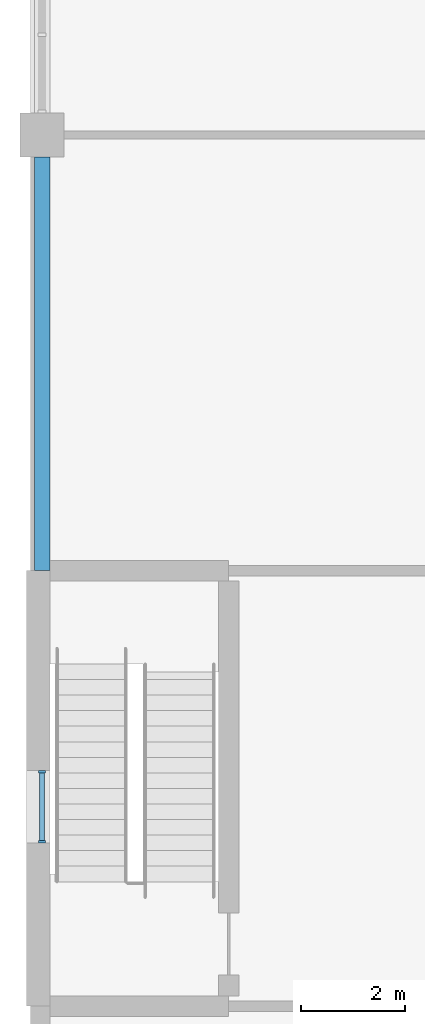
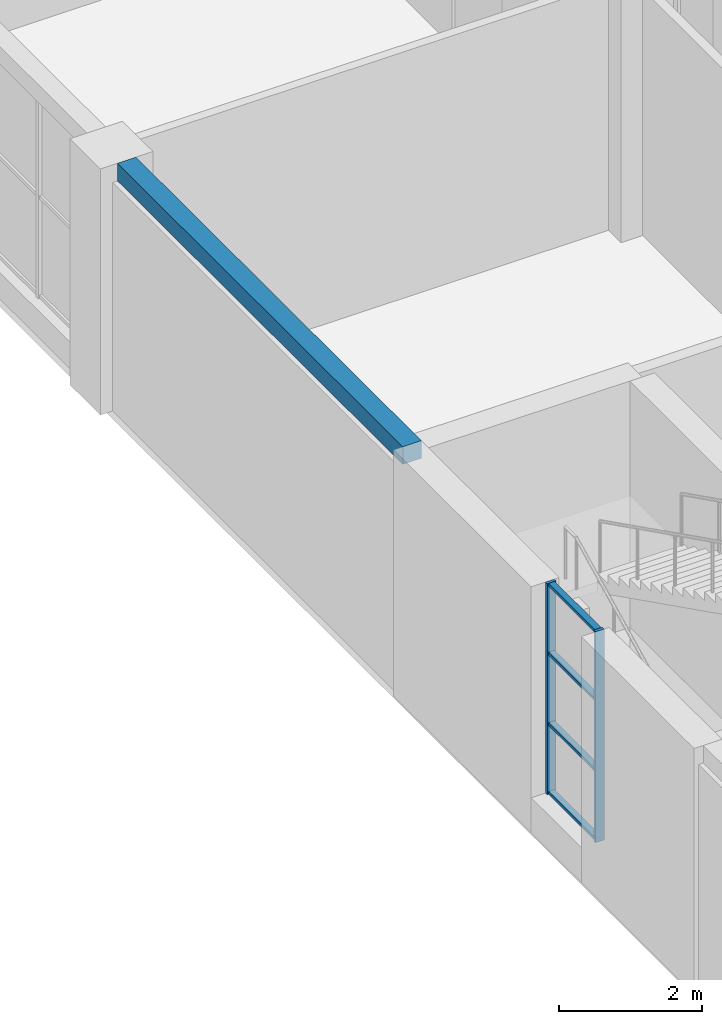
# One storey, part 2 of 66: 6 members, 1 beam, 1 element without a shape of its own.
"""IFC4 building model written with IfcOpenShell, lengths in metres."""

from ifc_helpers import new_model, si_unit, direction, frame, origin, origin_2d, place, context, subcontext, project, spatial, rectangle, extrude, material, material_profile, profile_set, type_object, element, aggregate, save


model = new_model("IFC4")

# Units and contexts
model_context = context("Model", 3, precision=1e-05, world=origin(), true_north=direction((0.0, 1.0)))
body_context = subcontext(model_context, "Body", "Model", "MODEL_VIEW")
ifc_project = project(units=[si_unit("LENGTHUNIT", "METRE"), si_unit("AREAUNIT", "SQUARE_METRE"), si_unit("VOLUMEUNIT", "CUBIC_METRE"), si_unit("PLANEANGLEUNIT", "RADIAN"), si_unit("MASSUNIT", "GRAM", prefix="KILO")], contexts=[model_context])

# Site, building, storey
site_placement = place(None, origin())
site = spatial("IfcSite", under=ifc_project, at=site_placement, CompositionType="ELEMENT")
building_placement = place(site_placement, origin())
building = spatial("IfcBuilding", under=site, at=building_placement, Name="Yavir Park General Hospital", CompositionType="ELEMENT")
storey_placement = place(building_placement, frame((0.0, 0.0, 8.39990234375)))
storey = spatial("IfcBuildingStorey", under=building, at=storey_placement, Name="L02", CompositionType="ELEMENT", Elevation=8.39990234375)

# Beam
ifc_material_1 = material(Name="Concrete C35/45", Category="concrete")
ifc_material_profile_1 = material_profile(ifc_material_1, rectangle(XDim=0.300048828125, YDim=0.300048828125, at=origin_2d()), Name="RC300x300")
ifc_profile_set_1 = profile_set([ifc_material_profile_1], Name="Concrete C35/45")
beam_type = type_object("IfcBeamType", Name="RC BEAM 300x300 edge beam", PredefinedType="BEAM", material=ifc_profile_set_1)
beam_placement = place(storey_placement, frame((0.0, 25.199951171875, 4.050048828125), z_axis=(0.0, 1.0, 0.0), x_axis=(-1.0, 0.0, 0.0)))
element("IfcBeam", 1, at=beam_placement, inside=storey, type_object=beam_type, Name="B:EDGE:L02:035", PredefinedType="BEAM", context=body_context, shape_type="SweptSolid", body=[
    extrude(rectangle(XDim=0.300048828125, YDim=0.300048828125, at=origin_2d()), origin(), (0.0, 0.0, 1.0), 7.97509765625),
])

# Curtain wall, members
ifc_material_2 = material(Name="Aluminium curtain wall frame with insulated glazing", Category="aluminium")
curtain_wall_type = type_object("IfcCurtainWallType", Name="Stair light slot, podium, 3600 high, 1400 module", PredefinedType="NOTDEFINED", material=ifc_material_2)
curtain_wall_placement = place(storey_placement, origin())
curtain_wall = element("IfcCurtainWall", 2, at=curtain_wall_placement, inside=storey, type_object=curtain_wall_type, Name="CW57 L02-020", PredefinedType="NOTDEFINED")
ifc_material_3 = material(Name="Aluminium", Category="aluminium")
ifc_material_profile_2 = material_profile(ifc_material_3, rectangle(XDim=0.139892578125, YDim=0.050048828125, at=origin_2d()), Name="AL 50x140")
ifc_profile_set_2 = profile_set([ifc_material_profile_2], Name="Aluminium")
member_type_1 = type_object("IfcMemberType", Name="Stair light slot, podium, 3600 high mullion 50 x 140", PredefinedType="MULLION", material=ifc_profile_set_2)
member_1_placement = place(storey_placement, frame((0.0, 19.97509765625, 0.60009765625), z_axis=(0.0, 0.0, 1.0), x_axis=(-1.0, 0.0, 0.0)))
member_1 = element("IfcMember", 3, at=member_1_placement, type_object=member_type_1, Name="CW57 mullion 1", PredefinedType="MULLION", context=body_context, shape_type="SweptSolid", body=[
    extrude(rectangle(XDim=0.139892578125, YDim=0.050048828125, at=origin_2d()), origin(), (0.0, 0.0, 1.0), 3.60009765625),
])
member_2_placement = place(storey_placement, frame((0.0, 21.324951171875, 0.60009765625), z_axis=(0.0, 0.0, 1.0), x_axis=(-1.0, 0.0, 0.0)))
member_2 = element("IfcMember", 4, at=member_2_placement, type_object=member_type_1, Name="CW57 mullion 2", PredefinedType="MULLION", context=body_context, shape_type="SweptSolid", body=[
    extrude(rectangle(XDim=0.139892578125, YDim=0.050048828125, at=origin_2d()), origin(), (0.0, 0.0, 1.0), 3.60009765625),
])
ifc_material_4 = material(Name="Aluminium", Category="aluminium")
ifc_material_profile_3 = material_profile(ifc_material_4, rectangle(XDim=0.10009765625, YDim=0.050048828125, at=origin_2d()), Name="AL 100x50")
ifc_profile_set_3 = profile_set([ifc_material_profile_3], Name="Aluminium")
member_type_2 = type_object("IfcMemberType", Name="Stair light slot, podium, 3600 high transom 50 x 100", PredefinedType="MULLION", material=ifc_profile_set_3)
member_3_placement = place(storey_placement, frame((0.0, 20.0, 0.625), z_axis=(0.0, 1.0, 0.0), x_axis=(-1.0, 0.0, 0.0)))
member_3 = element("IfcMember", 5, at=member_3_placement, type_object=member_type_2, Name="CW57 transom 1.1", PredefinedType="MULLION", context=body_context, shape_type="SweptSolid", body=[
    extrude(rectangle(XDim=0.10009765625, YDim=0.050048828125, at=origin_2d()), origin(), (0.0, 0.0, 1.0), 1.300048828125),
])
member_4_placement = place(storey_placement, frame((0.0, 20.0, 1.800048828125), z_axis=(0.0, 1.0, 0.0), x_axis=(-1.0, 0.0, 0.0)))
member_4 = element("IfcMember", 6, at=member_4_placement, type_object=member_type_2, Name="CW57 transom 1.2", PredefinedType="MULLION", context=body_context, shape_type="SweptSolid", body=[
    extrude(rectangle(XDim=0.10009765625, YDim=0.050048828125, at=origin_2d()), origin(), (0.0, 0.0, 1.0), 1.300048828125),
])
member_5_placement = place(storey_placement, frame((0.0, 20.0, 3.0), z_axis=(0.0, 1.0, 0.0), x_axis=(-1.0, 0.0, 0.0)))
member_5 = element("IfcMember", 7, at=member_5_placement, type_object=member_type_2, Name="CW57 transom 1.3", PredefinedType="MULLION", context=body_context, shape_type="SweptSolid", body=[
    extrude(rectangle(XDim=0.10009765625, YDim=0.050048828125, at=origin_2d()), origin(), (0.0, 0.0, 1.0), 1.300048828125),
])
member_6_placement = place(storey_placement, frame((0.0, 20.0, 4.175048828125), z_axis=(0.0, 1.0, 0.0), x_axis=(-1.0, 0.0, 0.0)))
member_6 = element("IfcMember", 8, at=member_6_placement, type_object=member_type_2, Name="CW57 transom 1.4", PredefinedType="MULLION", context=body_context, shape_type="SweptSolid", body=[
    extrude(rectangle(XDim=0.10009765625, YDim=0.050048828125, at=origin_2d()), origin(), (0.0, 0.0, 1.0), 1.300048828125),
])
aggregate(curtain_wall, [member_1, member_2, member_3, member_4, member_5, member_6])

save(model, "model.ifc")
